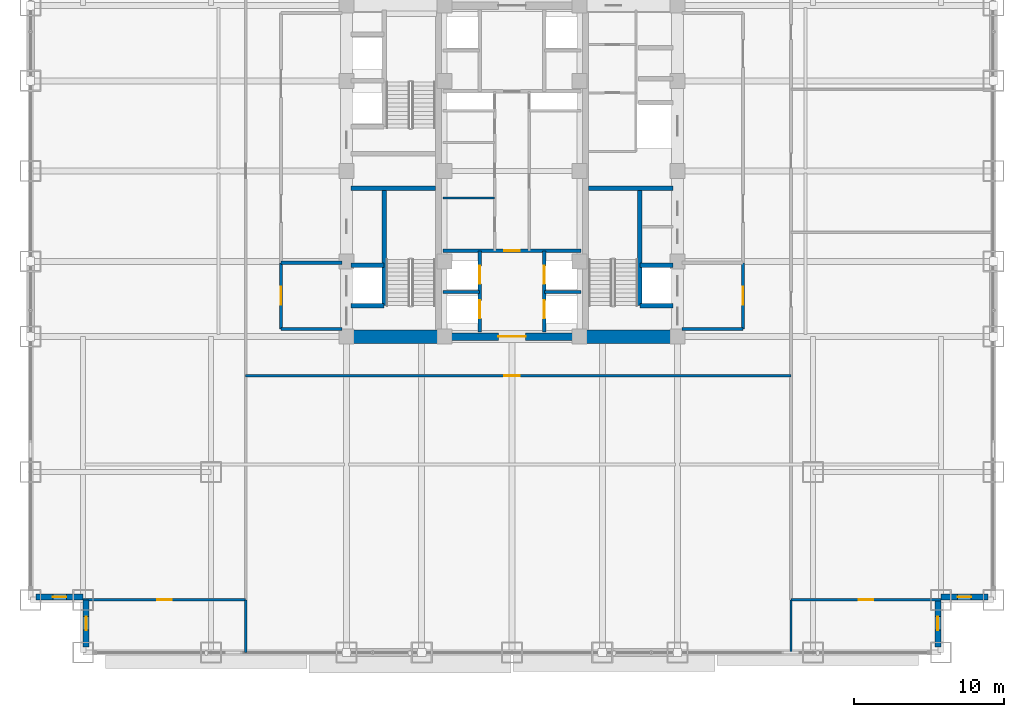
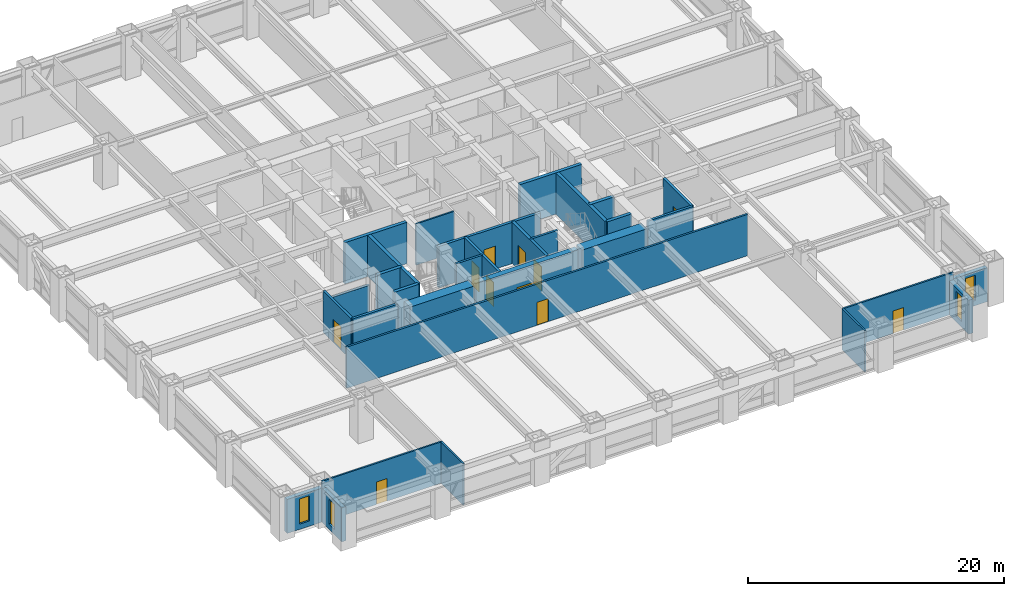
# One storey, part 23 of 31: 31 walls, 11 doors, 4 windows, 15 openings.
"""IFC4 building model written with IfcOpenShell, lengths in metres."""

from ifc_helpers import new_model, si_unit, direction, frame, frame_2d, origin, place, context, subcontext, project, spatial, rectangle, extrude, source, transform, mapped, material, layer, layer_set, type_object, element, fill, save


model = new_model("IFC4")

# Units and contexts
model_context = context("Model", 3, precision=1e-05, world=origin(), true_north=direction((0.0, 1.0)))
body_context = subcontext(model_context, "Body", "Model", "MODEL_VIEW")
ifc_project = project(units=[si_unit("LENGTHUNIT", "METRE"), si_unit("AREAUNIT", "SQUARE_METRE"), si_unit("VOLUMEUNIT", "CUBIC_METRE"), si_unit("PLANEANGLEUNIT", "RADIAN"), si_unit("MASSUNIT", "GRAM", prefix="KILO")], contexts=[model_context])

# Site, building, storey
site_placement = place(None, origin())
site = spatial("IfcSite", under=ifc_project, at=site_placement, CompositionType="ELEMENT")
building_placement = place(site_placement, origin())
building = spatial("IfcBuilding", under=site, at=building_placement, Name="Khorayat Bourse Tower", CompositionType="ELEMENT")
storey_placement = place(building_placement, frame((0.0, 0.0, 41.0)))
storey = spatial("IfcBuildingStorey", under=building, at=storey_placement, Name="L08", CompositionType="ELEMENT", Elevation=41.0)

# Walls
ifc_material_1 = material(Name="Concrete C72/90", Category="concrete")
ifc_layer_1 = layer(ifc_material_1, 0.89990234375)
ifc_layer_set_1 = layer_set([ifc_layer_1], Name="Concrete C72/90")
wall_type_1 = type_object("IfcWallType", Name="WAL-CORE-900", PredefinedType="SHEAR", material=ifc_layer_set_1)
shared_shape_1 = source(origin(), body_context, "Body", "SweptSolid", [
    extrude(rectangle(XDim=5.849853515625, YDim=0.89990234375, at=frame_2d((2.9248046875, 0.0))), origin(), (0.0, 0.0, 1.0), 3.93994140625),
])
for number, where, z_axis, x_axis, name in (
    (1, (-10.699951171875, -11.0, 0.0), (0.0, 0.0, 1.0), (1.0, 0.0, 0.0), "L08 Core Shear Wall PIER-WS"),
    (2, (4.85009765625, -11.0, 0.0), (0.0, 0.0, 1.0), (1.0, 0.0, 0.0), "L08 Core Shear Wall PIER-ES"),
):
    element("IfcWall", number, at=place(storey_placement, frame(where, z_axis=z_axis, x_axis=x_axis)), inside=storey, type_object=wall_type_1, Name=name, PredefinedType="SHEAR", context=body_context, shape_type="MappedRepresentation", body=[
        mapped(shared_shape_1, transform((0.0, 0.0, 0.0), scale=1.0)),
    ])
ifc_material_2 = material(Name="Concrete C50/60", Category="concrete")
ifc_layer_2 = layer(ifc_material_2, 0.300048828125)
ifc_layer_set_2 = layer_set([ifc_layer_2], Name="Concrete C50/60")
wall_type_2 = type_object("IfcWallType", Name="WAL-SHAFT-300", PredefinedType="SHEAR", material=ifc_layer_set_2)
shared_shape_2 = source(origin(), body_context, "Body", "SweptSolid", [
    extrude(rectangle(XDim=5.599853515625, YDim=0.300048828125, at=frame_2d((2.7998046875, 0.0))), origin(), (0.0, 0.0, 1.0), 3.93994140625),
])
for number, where, z_axis, x_axis, name in (
    (3, (-10.699951171875, -1.14990234375, 0.0), (0.0, 0.0, 1.0), (1.0, 0.0, 0.0), "L08 Core Shear Wall ST1-DIV"),
    (4, (5.10009765625, -1.14990234375, 0.0), (0.0, 0.0, 1.0), (1.0, 0.0, 0.0), "L08 Core Shear Wall ST3-DIV"),
):
    element("IfcWall", number, at=place(storey_placement, frame(where, z_axis=z_axis, x_axis=x_axis)), inside=storey, type_object=wall_type_2, Name=name, PredefinedType="SHEAR", context=body_context, shape_type="MappedRepresentation", body=[
        mapped(shared_shape_2, transform((0.0, 0.0, 0.0), scale=1.0)),
    ])

# Wall, opening, door
ifc_material_3 = material(Name="Concrete C52/65", Category="concrete")
ifc_layer_3 = layer(ifc_material_3, 0.5)
ifc_layer_set_3 = layer_set([ifc_layer_3], Name="Concrete C52/65")
wall_type_3 = type_object("IfcWallType", Name="WAL-CORE-500", PredefinedType="SHEAR", material=ifc_layer_set_3)
shared_shape_3 = source(origin(), body_context, "Body", "SweptSolid", [
    extrude(rectangle(XDim=9.2001953125, YDim=0.5, at=frame_2d((4.60009765625, 0.0))), origin(), (0.0, 0.0, 1.0), 3.93994140625),
])
wall_1_placement = place(storey_placement, frame((-4.60009765625, -11.0, 0.0), z_axis=(0.0, 0.0, 1.0), x_axis=(1.0, 0.0, 0.0)))
wall_1 = element("IfcWall", 5, at=wall_1_placement, inside=storey, type_object=wall_type_3, Name="L08 Core Shear Wall CORE-S", PredefinedType="SHEAR", context=body_context, shape_type="MappedRepresentation", body=[
    mapped(shared_shape_3, transform((0.0, 0.0, 0.0), scale=1.0)),
])
shared_shape_4 = source(origin(), body_context, "Body", "SweptSolid", [
    extrude(rectangle(XDim=1.800048828125, YDim=2.25, at=frame_2d((0.89990234375, 1.125))), frame((0.0, 0.260009765625, 0.0), z_axis=(0.0, -1.0, 0.0), x_axis=(1.0, 0.0, 0.0)), (0.0, 0.0, 1.0), 0.52001953125),
])
opening_1_placement = place(wall_1_placement, frame((3.699951171875, 0.0, 0.0)))
opening_1 = element("IfcOpeningElement", 6, at=opening_1_placement, cuts=wall_1, Name="Opening DI-03", PredefinedType="OPENING", context=body_context, shape_type="MappedRepresentation", body=[
    mapped(shared_shape_4, transform((0.0, 0.0, 0.0), scale=1.0)),
])
ifc_material_4 = material(Name="Fire-rated hardwood vision-panel double leaf", Category="wood")
door_type_1 = type_object("IfcDoorType", Name="DR-INT-CORR-1800", OperationType="NOTDEFINED", PredefinedType="DOOR", material=ifc_material_4)
shared_shape_5 = source(origin(), body_context, "Body", "SweptSolid", [
    extrude(rectangle(XDim=1.800048828125, YDim=2.25, at=frame_2d((0.89990234375, 1.125))), frame((0.0, 0.02490234375, 0.0), z_axis=(0.0, -1.0, 0.0), x_axis=(1.0, 0.0, 0.0)), (0.0, 0.0, 1.0), 0.050048828125),
])
door_1_placement = place(opening_1_placement, origin())
door_1 = element("IfcDoor", 7, at=door_1_placement, inside=storey, type_object=door_type_1, Name="L08 Low-Rise Lift Lobby Door", OperationType="SINGLE_SWING_LEFT", OverallHeight=2.25, OverallWidth=1.800048828125, PredefinedType="DOOR", context=body_context, shape_type="MappedRepresentation", body=[
    mapped(shared_shape_5, transform((0.0, 0.0, 0.0), scale=1.0)),
])
fill(opening_1, door_1)

# Wall, opening, window
ifc_material_5 = material(Name="Precast concrete C45/55", Category="concrete")
ifc_layer_4 = layer(ifc_material_5, 0.3798828125)
ifc_layer_set_4 = layer_set([ifc_layer_4], Name="Precast concrete C45/55")
wall_type_4 = type_object("IfcWallType", Name="WAL-EXT-STONE-380", PredefinedType="STANDARD", material=ifc_layer_set_4)
shared_shape_6 = source(origin(), body_context, "Body", "SweptSolid", [
    extrude(rectangle(XDim=3.1201171875, YDim=0.3798828125, at=frame_2d((1.56005859375, 0.0))), origin(), (0.0, 0.0, 1.0), 3.2451171875),
])
wall_2_placement = place(storey_placement, frame((-28.5, -28.31005859375, 0.0), z_axis=(0.0, 0.0, 1.0), x_axis=(-1.0, 0.0, 0.0)))
wall_2 = element("IfcWall", 8, at=wall_2_placement, inside=storey, type_object=wall_type_4, Name="L08 Re-Entrant Notch Limestone Wall SW-H", PredefinedType="STANDARD", context=body_context, shape_type="MappedRepresentation", body=[
    mapped(shared_shape_6, transform((0.0, 0.0, 0.0), scale=1.0)),
])
shared_shape_7 = source(origin(), body_context, "Body", "SweptSolid", [
    extrude(rectangle(XDim=0.89990234375, YDim=2.39990234375, at=frame_2d((0.449951171875, 1.199951171875))), frame((0.0, 0.199951171875, 0.0), z_axis=(0.0, -1.0, 0.0), x_axis=(1.0, 0.0, 0.0)), (0.0, 0.0, 1.0), 0.39990234375),
])
opening_2_placement = place(wall_2_placement, frame((1.110107421875, 0.0, 0.5)))
opening_2 = element("IfcOpeningElement", 9, at=opening_2_placement, cuts=wall_2, Name="Opening WN-03", PredefinedType="OPENING", context=body_context, shape_type="MappedRepresentation", body=[
    mapped(shared_shape_7, transform((0.0, 0.0, 0.0), scale=1.0)),
])
ifc_material_6 = material(Name="Deep-reveal solar-control double glazing", Category="glass")
window_type = type_object("IfcWindowType", Name="WIN-SLOT-900x2400", PartitioningType="SINGLE_PANEL", PredefinedType="WINDOW", material=ifc_material_6)
shared_shape_8 = source(origin(), body_context, "Body", "SweptSolid", [
    extrude(rectangle(XDim=0.89990234375, YDim=2.39990234375, at=frame_2d((0.449951171875, 1.199951171875))), frame((0.0, 0.030029296875, 0.0), z_axis=(0.0, -1.0, 0.0), x_axis=(1.0, 0.0, 0.0)), (0.0, 0.0, 1.0), 0.06005859375),
])
window_1_placement = place(opening_2_placement, origin())
window_1 = element("IfcWindow", 10, at=window_1_placement, inside=storey, type_object=window_type, Name="L08 Facade Window 1", OverallHeight=2.39990234375, OverallWidth=0.89990234375, PartitioningType="SINGLE_PANEL", PredefinedType="WINDOW", context=body_context, shape_type="MappedRepresentation", body=[
    mapped(shared_shape_8, transform((0.0, 0.0, 0.0), scale=1.0)),
])
fill(opening_2, window_1)

wall_3_placement = place(storey_placement, frame((-28.31005859375, -31.6201171875, 0.0), z_axis=(0.0, 0.0, 1.0), x_axis=(0.0, 1.0, 0.0)))
wall_3 = element("IfcWall", 11, at=wall_3_placement, inside=storey, type_object=wall_type_4, Name="L08 Re-Entrant Notch Limestone Wall SW-V", PredefinedType="STANDARD", context=body_context, shape_type="MappedRepresentation", body=[
    mapped(shared_shape_6, transform((0.0, 0.0, 0.0), scale=1.0)),
])
opening_3_placement = place(wall_3_placement, frame((1.110107421875, 0.0, 0.5)))
opening_3 = element("IfcOpeningElement", 12, at=opening_3_placement, cuts=wall_3, Name="Opening WN-03", PredefinedType="OPENING", context=body_context, shape_type="MappedRepresentation", body=[
    mapped(shared_shape_7, transform((0.0, 0.0, 0.0), scale=1.0)),
])
window_2_placement = place(opening_3_placement, origin())
window_2 = element("IfcWindow", 13, at=window_2_placement, inside=storey, type_object=window_type, Name="L08 Facade Window 1", OverallHeight=2.39990234375, OverallWidth=0.89990234375, PartitioningType="SINGLE_PANEL", PredefinedType="WINDOW", context=body_context, shape_type="MappedRepresentation", body=[
    mapped(shared_shape_8, transform((0.0, 0.0, 0.0), scale=1.0)),
])
fill(opening_3, window_2)

wall_4_placement = place(storey_placement, frame((28.31005859375, -31.6201171875, 0.0), z_axis=(0.0, 0.0, 1.0), x_axis=(0.0, 1.0, 0.0)))
wall_4 = element("IfcWall", 14, at=wall_4_placement, inside=storey, type_object=wall_type_4, Name="L08 Re-Entrant Notch Limestone Wall SE-V", PredefinedType="STANDARD", context=body_context, shape_type="MappedRepresentation", body=[
    mapped(shared_shape_6, transform((0.0, 0.0, 0.0), scale=1.0)),
])
opening_4_placement = place(wall_4_placement, frame((1.110107421875, 0.0, 0.5)))
opening_4 = element("IfcOpeningElement", 15, at=opening_4_placement, cuts=wall_4, Name="Opening WN-03", PredefinedType="OPENING", context=body_context, shape_type="MappedRepresentation", body=[
    mapped(shared_shape_7, transform((0.0, 0.0, 0.0), scale=1.0)),
])
window_3_placement = place(opening_4_placement, origin())
window_3 = element("IfcWindow", 16, at=window_3_placement, inside=storey, type_object=window_type, Name="L08 Facade Window 1", OverallHeight=2.39990234375, OverallWidth=0.89990234375, PartitioningType="SINGLE_PANEL", PredefinedType="WINDOW", context=body_context, shape_type="MappedRepresentation", body=[
    mapped(shared_shape_8, transform((0.0, 0.0, 0.0), scale=1.0)),
])
fill(opening_4, window_3)

wall_5_placement = place(storey_placement, frame((28.5, -28.31005859375, 0.0), z_axis=(0.0, 0.0, 1.0), x_axis=(1.0, 0.0, 0.0)))
wall_5 = element("IfcWall", 17, at=wall_5_placement, inside=storey, type_object=wall_type_4, Name="L08 Re-Entrant Notch Limestone Wall SE-H", PredefinedType="STANDARD", context=body_context, shape_type="MappedRepresentation", body=[
    mapped(shared_shape_6, transform((0.0, 0.0, 0.0), scale=1.0)),
])
opening_5_placement = place(wall_5_placement, frame((1.110107421875, 0.0, 0.5)))
opening_5 = element("IfcOpeningElement", 18, at=opening_5_placement, cuts=wall_5, Name="Opening WN-03", PredefinedType="OPENING", context=body_context, shape_type="MappedRepresentation", body=[
    mapped(shared_shape_7, transform((0.0, 0.0, 0.0), scale=1.0)),
])
window_4_placement = place(opening_5_placement, origin())
window_4 = element("IfcWindow", 19, at=window_4_placement, inside=storey, type_object=window_type, Name="L08 Facade Window 1", OverallHeight=2.39990234375, OverallWidth=0.89990234375, PartitioningType="SINGLE_PANEL", PredefinedType="WINDOW", context=body_context, shape_type="MappedRepresentation", body=[
    mapped(shared_shape_8, transform((0.0, 0.0, 0.0), scale=1.0)),
])
fill(opening_5, window_4)

# Walls
shared_shape_9 = source(origin(), body_context, "Body", "SweptSolid", [
    extrude(rectangle(XDim=7.800048828125, YDim=0.300048828125, at=frame_2d((3.89990234375, 0.0))), origin(), (0.0, 0.0, 1.0), 3.93994140625),
])
for number, where, z_axis, x_axis, name in (
    (20, (-8.5, -8.949951171875, 0.0), (0.0, 0.0, 1.0), (0.0, 1.0, 0.0), "L08 Partition WAL-L08-WPIER-SP"),
    (21, (8.5, -8.949951171875, 0.0), (0.0, 0.0, 1.0), (0.0, 1.0, 0.0), "L08 Partition WAL-L08-EPIER-SP"),
):
    element("IfcWall", number, at=place(storey_placement, frame(where, z_axis=z_axis, x_axis=x_axis)), inside=storey, type_object=wall_type_2, Name=name, PredefinedType="SHEAR", context=body_context, shape_type="MappedRepresentation", body=[
        mapped(shared_shape_9, transform((0.0, 0.0, 0.0), scale=1.0)),
    ])
shared_shape_10 = source(origin(), body_context, "Body", "SweptSolid", [
    extrude(rectangle(XDim=2.199951171875, YDim=0.300048828125, at=frame_2d((1.10009765625, 0.0))), origin(), (0.0, 0.0, 1.0), 3.93994140625),
])
for number, where, z_axis, x_axis, name in (
    (22, (-10.699951171875, -8.949951171875, 0.0), (0.0, 0.0, 1.0), (1.0, 0.0, 0.0), "L08 Partition WAL-L08-WPIER-FF1S"),
    (23, (-10.699951171875, -6.25, 0.0), (0.0, 0.0, 1.0), (1.0, 0.0, 0.0), "L08 Partition WAL-L08-WPIER-FF1N"),
    (24, (8.5, -8.949951171875, 0.0), (0.0, 0.0, 1.0), (1.0, 0.0, 0.0), "L08 Partition WAL-L08-EPIER-FF2S"),
    (25, (8.5, -6.25, 0.0), (0.0, 0.0, 1.0), (1.0, 0.0, 0.0), "L08 Partition WAL-L08-EPIER-FF2N"),
):
    element("IfcWall", number, at=place(storey_placement, frame(where, z_axis=z_axis, x_axis=x_axis)), inside=storey, type_object=wall_type_2, Name=name, PredefinedType="SHEAR", context=body_context, shape_type="MappedRepresentation", body=[
        mapped(shared_shape_10, transform((0.0, 0.0, 0.0), scale=1.0)),
    ])
ifc_material_7 = material(Name="Aerated concrete blockwork", Category="masonry")
ifc_layer_5 = layer(ifc_material_7, 0.219970703125)
ifc_layer_set_5 = layer_set([ifc_layer_5], Name="Aerated concrete blockwork")
wall_type_5 = type_object("IfcWallType", Name="WAL-PART-FF-220", PredefinedType="PARTITIONING", material=ifc_layer_set_5)
shared_shape_11 = source(origin(), body_context, "Body", "SweptSolid", [
    extrude(rectangle(XDim=4.050048828125, YDim=0.219970703125, at=frame_2d((2.02490234375, 0.0))), origin(), (0.0, 0.0, 1.0), 3.93994140625),
])
for number, where, z_axis, x_axis, name in (
    (26, (-15.35009765625, -10.5, 0.0), (0.0, 0.0, 1.0), (1.0, 0.0, 0.0), "L08 Partition WAL-L08-FFLW-S"),
    (27, (11.300048828125, -10.5, 0.0), (0.0, 0.0, 1.0), (1.0, 0.0, 0.0), "L08 Partition WAL-L08-FFLE-S"),
):
    element("IfcWall", number, at=place(storey_placement, frame(where, z_axis=z_axis, x_axis=x_axis)), inside=storey, type_object=wall_type_5, Name=name, PredefinedType="PARTITIONING", context=body_context, shape_type="MappedRepresentation", body=[
        mapped(shared_shape_11, transform((0.0, 0.0, 0.0), scale=1.0)),
    ])
shared_shape_12 = source(origin(), body_context, "Body", "SweptSolid", [
    extrude(rectangle(XDim=4.050048828125, YDim=0.219970703125, at=frame_2d((2.02490234375, 0.0))), origin(), (0.0, 0.0, 1.0), 3.0849609375),
])
wall_6_placement = place(storey_placement, frame((-15.35009765625, -6.10009765625, 0.0), z_axis=(0.0, 0.0, 1.0), x_axis=(1.0, 0.0, 0.0)))
element("IfcWall", 28, at=wall_6_placement, inside=storey, type_object=wall_type_5, Name="L08 Partition WAL-L08-FFLW-N", PredefinedType="PARTITIONING", context=body_context, shape_type="MappedRepresentation", body=[
    mapped(shared_shape_12, transform((0.0, 0.0, 0.0), scale=1.0)),
])

# Wall, opening, door
shared_shape_13 = source(origin(), body_context, "Body", "SweptSolid", [
    extrude(rectangle(XDim=4.39990234375, YDim=0.219970703125, at=frame_2d((2.199951171875, 0.0))), origin(), (0.0, 0.0, 1.0), 3.93994140625),
])
wall_7_placement = place(storey_placement, frame((-15.35009765625, -10.5, 0.0), z_axis=(0.0, 0.0, 1.0), x_axis=(0.0, 1.0, 0.0)))
wall_7 = element("IfcWall", 29, at=wall_7_placement, inside=storey, type_object=wall_type_5, Name="L08 Partition WAL-L08-FFLW-W", PredefinedType="PARTITIONING", context=body_context, shape_type="MappedRepresentation", body=[
    mapped(shared_shape_13, transform((0.0, 0.0, 0.0), scale=1.0)),
])
shared_shape_14 = source(origin(), body_context, "Body", "SweptSolid", [
    extrude(rectangle(XDim=1.199951171875, YDim=2.199951171875, at=frame_2d((0.60009765625, 1.10009765625))), frame((0.0, 0.119873046875, 0.0), z_axis=(0.0, -1.0, 0.0), x_axis=(1.0, 0.0, 0.0)), (0.0, 0.0, 1.0), 0.239990234375),
])
opening_6_placement = place(wall_7_placement, frame((1.60009765625, 0.0, 0.0)))
opening_6 = element("IfcOpeningElement", 30, at=opening_6_placement, cuts=wall_7, Name="Opening DI-02", PredefinedType="OPENING", context=body_context, shape_type="MappedRepresentation", body=[
    mapped(shared_shape_14, transform((0.0, 0.0, 0.0), scale=1.0)),
])
ifc_material_8 = material(Name="Fire-rated steel double-seal leaf", Category="steel")
door_type_2 = type_object("IfcDoorType", Name="DR-INT-FFLOBBY-1200", OperationType="NOTDEFINED", PredefinedType="DOOR", material=ifc_material_8)
shared_shape_15 = source(origin(), body_context, "Body", "SweptSolid", [
    extrude(rectangle(XDim=1.199951171875, YDim=2.199951171875, at=frame_2d((0.60009765625, 1.10009765625))), frame((0.0, 0.02490234375, 0.0), z_axis=(0.0, -1.0, 0.0), x_axis=(1.0, 0.0, 0.0)), (0.0, 0.0, 1.0), 0.050048828125),
])
door_2_placement = place(opening_6_placement, origin())
door_2 = element("IfcDoor", 31, at=door_2_placement, inside=storey, type_object=door_type_2, Name="L08 West Firefighting Lobby Door", OperationType="SINGLE_SWING_LEFT", OverallHeight=2.199951171875, OverallWidth=1.199951171875, PredefinedType="DOOR", context=body_context, shape_type="MappedRepresentation", body=[
    mapped(shared_shape_15, transform((0.0, 0.0, 0.0), scale=1.0)),
])
fill(opening_6, door_2)

wall_8_placement = place(storey_placement, frame((15.35009765625, -10.5, 0.0), z_axis=(0.0, 0.0, 1.0), x_axis=(0.0, 1.0, 0.0)))
wall_8 = element("IfcWall", 32, at=wall_8_placement, inside=storey, type_object=wall_type_5, Name="L08 Partition WAL-L08-FFLE-E", PredefinedType="PARTITIONING", context=body_context, shape_type="MappedRepresentation", body=[
    mapped(shared_shape_13, transform((0.0, 0.0, 0.0), scale=1.0)),
])
opening_7_placement = place(wall_8_placement, frame((1.60009765625, 0.0, 0.0)))
opening_7 = element("IfcOpeningElement", 33, at=opening_7_placement, cuts=wall_8, Name="Opening DI-02", PredefinedType="OPENING", context=body_context, shape_type="MappedRepresentation", body=[
    mapped(shared_shape_14, transform((0.0, 0.0, 0.0), scale=1.0)),
])
door_3_placement = place(opening_7_placement, origin())
door_3 = element("IfcDoor", 34, at=door_3_placement, inside=storey, type_object=door_type_2, Name="L08 East Firefighting Lobby Door", OperationType="SINGLE_SWING_RIGHT", OverallHeight=2.199951171875, OverallWidth=1.199951171875, PredefinedType="DOOR", context=body_context, shape_type="MappedRepresentation", body=[
    mapped(shared_shape_15, transform((0.0, 0.0, 0.0), scale=1.0)),
])
fill(opening_7, door_3)

# Wall, openings, doors
shared_shape_16 = source(origin(), body_context, "Body", "SweptSolid", [
    extrude(rectangle(XDim=5.39990234375, YDim=0.25, at=frame_2d((2.699951171875, 0.0))), origin(), (0.0, 0.0, 1.0), 3.93994140625),
])
wall_9_placement = place(storey_placement, frame((-2.14990234375, -10.699951171875, 0.0), z_axis=(0.0, 0.0, 1.0), x_axis=(0.0, 1.0, 0.0)))
wall_9 = element("IfcWall", 35, at=wall_9_placement, inside=storey, type_object=wall_type_2, Name="L08 Partition WAL-L08-B1-W", PredefinedType="SHEAR", context=body_context, shape_type="MappedRepresentation", body=[
    mapped(shared_shape_16, transform((0.0, 0.0, 0.0), scale=1.0)),
])
shared_shape_17 = source(origin(), body_context, "Body", "SweptSolid", [
    extrude(rectangle(XDim=1.199951171875, YDim=2.300048828125, at=frame_2d((0.60009765625, 1.14990234375))), frame((0.0, 0.135009765625, 0.0), z_axis=(0.0, -1.0, 0.0), x_axis=(1.0, 0.0, 0.0)), (0.0, 0.0, 1.0), 0.27001953125),
])
opening_8_placement = place(wall_9_placement, frame((0.89990234375, 0.0, 0.0)))
opening_8 = element("IfcOpeningElement", 36, at=opening_8_placement, cuts=wall_9, Name="Opening LD-01", PredefinedType="OPENING", context=body_context, shape_type="MappedRepresentation", body=[
    mapped(shared_shape_17, transform((0.0, 0.0, 0.0), scale=1.0)),
])
opening_9_placement = place(wall_9_placement, frame((3.199951171875, 0.0, 0.0)))
opening_9 = element("IfcOpeningElement", 37, at=opening_9_placement, cuts=wall_9, Name="Opening LD-01", PredefinedType="OPENING", context=body_context, shape_type="MappedRepresentation", body=[
    mapped(shared_shape_17, transform((0.0, 0.0, 0.0), scale=1.0)),
])
ifc_material_9 = material(Name="Brushed bronze stainless-steel sliding door", Category="steel")
door_type_3 = type_object("IfcDoorType", Name="DR-LIFT-PASS-1200", OperationType="NOTDEFINED", PredefinedType="DOOR", material=ifc_material_9)
shared_shape_18 = source(origin(), body_context, "Body", "SweptSolid", [
    extrude(rectangle(XDim=1.199951171875, YDim=2.300048828125, at=frame_2d((0.60009765625, 1.14990234375))), frame((0.0, 0.02490234375, 0.0), z_axis=(0.0, -1.0, 0.0), x_axis=(1.0, 0.0, 0.0)), (0.0, 0.0, 1.0), 0.050048828125),
])
door_4_placement = place(opening_8_placement, origin())
door_4 = element("IfcDoor", 38, at=door_4_placement, inside=storey, type_object=door_type_3, Name="L08 Lift PL-L1 Sliding Landing Door", OperationType="SLIDING_TO_LEFT", OverallHeight=2.300048828125, OverallWidth=1.199951171875, PredefinedType="DOOR", context=body_context, shape_type="MappedRepresentation", body=[
    mapped(shared_shape_18, transform((0.0, 0.0, 0.0), scale=1.0)),
])
fill(opening_8, door_4)
door_5_placement = place(opening_9_placement, origin())
door_5 = element("IfcDoor", 39, at=door_5_placement, inside=storey, type_object=door_type_3, Name="L08 Lift PL-L3 Sliding Landing Door", OperationType="SLIDING_TO_LEFT", OverallHeight=2.300048828125, OverallWidth=1.199951171875, PredefinedType="DOOR", context=body_context, shape_type="MappedRepresentation", body=[
    mapped(shared_shape_18, transform((0.0, 0.0, 0.0), scale=1.0)),
])
fill(opening_9, door_5)

wall_10_placement = place(storey_placement, frame((2.14990234375, -10.699951171875, 0.0), z_axis=(0.0, 0.0, 1.0), x_axis=(0.0, 1.0, 0.0)))
wall_10 = element("IfcWall", 40, at=wall_10_placement, inside=storey, type_object=wall_type_2, Name="L08 Partition WAL-L08-B1-E", PredefinedType="SHEAR", context=body_context, shape_type="MappedRepresentation", body=[
    mapped(shared_shape_16, transform((0.0, 0.0, 0.0), scale=1.0)),
])
opening_10_placement = place(wall_10_placement, frame((0.89990234375, 0.0, 0.0)))
opening_10 = element("IfcOpeningElement", 41, at=opening_10_placement, cuts=wall_10, Name="Opening LD-01", PredefinedType="OPENING", context=body_context, shape_type="MappedRepresentation", body=[
    mapped(shared_shape_17, transform((0.0, 0.0, 0.0), scale=1.0)),
])
opening_11_placement = place(wall_10_placement, frame((3.199951171875, 0.0, 0.0)))
opening_11 = element("IfcOpeningElement", 42, at=opening_11_placement, cuts=wall_10, Name="Opening LD-01", PredefinedType="OPENING", context=body_context, shape_type="MappedRepresentation", body=[
    mapped(shared_shape_17, transform((0.0, 0.0, 0.0), scale=1.0)),
])
door_6_placement = place(opening_10_placement, origin())
door_6 = element("IfcDoor", 43, at=door_6_placement, inside=storey, type_object=door_type_3, Name="L08 Lift PL-L2 Sliding Landing Door", OperationType="SLIDING_TO_LEFT", OverallHeight=2.300048828125, OverallWidth=1.199951171875, PredefinedType="DOOR", context=body_context, shape_type="MappedRepresentation", body=[
    mapped(shared_shape_18, transform((0.0, 0.0, 0.0), scale=1.0)),
])
fill(opening_10, door_6)
door_7_placement = place(opening_11_placement, origin())
door_7 = element("IfcDoor", 44, at=door_7_placement, inside=storey, type_object=door_type_3, Name="L08 Lift PL-L4 Sliding Landing Door", OperationType="SLIDING_TO_LEFT", OverallHeight=2.300048828125, OverallWidth=1.199951171875, PredefinedType="DOOR", context=body_context, shape_type="MappedRepresentation", body=[
    mapped(shared_shape_18, transform((0.0, 0.0, 0.0), scale=1.0)),
])
fill(opening_11, door_7)

# Walls
shared_shape_19 = source(origin(), body_context, "Body", "SweptSolid", [
    extrude(rectangle(XDim=2.4501953125, YDim=0.199951171875, at=frame_2d((1.22509765625, 0.0))), origin(), (0.0, 0.0, 1.0), 3.93994140625),
])
for number, where, z_axis, x_axis, name in (
    (45, (-4.60009765625, -8.050048828125, 0.0), (0.0, 0.0, 1.0), (1.0, 0.0, 0.0), "L08 Partition WAL-L08-B1-MW"),
    (46, (2.14990234375, -8.050048828125, 0.0), (0.0, 0.0, 1.0), (1.0, 0.0, 0.0), "L08 Partition WAL-L08-B1-ME"),
):
    element("IfcWall", number, at=place(storey_placement, frame(where, z_axis=z_axis, x_axis=x_axis)), inside=storey, type_object=wall_type_2, Name=name, PredefinedType="SHEAR", context=body_context, shape_type="MappedRepresentation", body=[
        mapped(shared_shape_19, transform((0.0, 0.0, 0.0), scale=1.0)),
    ])

# Wall, opening, door
shared_shape_20 = source(origin(), body_context, "Body", "SweptSolid", [
    extrude(rectangle(XDim=9.2001953125, YDim=0.25, at=frame_2d((4.60009765625, 0.0))), origin(), (0.0, 0.0, 1.0), 3.93994140625),
])
wall_11_placement = place(storey_placement, frame((-4.60009765625, -5.300048828125, 0.0), z_axis=(0.0, 0.0, 1.0), x_axis=(1.0, 0.0, 0.0)))
wall_11 = element("IfcWall", 47, at=wall_11_placement, inside=storey, type_object=wall_type_2, Name="L08 Partition WAL-L08-B1-N", PredefinedType="SHEAR", context=body_context, shape_type="MappedRepresentation", body=[
    mapped(shared_shape_20, transform((0.0, 0.0, 0.0), scale=1.0)),
])
shared_shape_21 = source(origin(), body_context, "Body", "SweptSolid", [
    extrude(rectangle(XDim=1.050048828125, YDim=2.199951171875, at=frame_2d((0.52490234375, 1.10009765625))), frame((0.0, 0.135009765625, 0.0), z_axis=(0.0, -1.0, 0.0), x_axis=(1.0, 0.0, 0.0)), (0.0, 0.0, 1.0), 0.27001953125),
])
opening_12_placement = place(wall_11_placement, frame((4.074951171875, 0.0, 0.0)))
opening_12 = element("IfcOpeningElement", 48, at=opening_12_placement, cuts=wall_11, Name="Opening DI-04", PredefinedType="OPENING", context=body_context, shape_type="MappedRepresentation", body=[
    mapped(shared_shape_21, transform((0.0, 0.0, 0.0), scale=1.0)),
])
ifc_material_10 = material(Name="Fire-rated oak veneer suite entrance door")
door_type_4 = type_object("IfcDoorType", Name="DR-INT-SUITE-1050", OperationType="NOTDEFINED", PredefinedType="DOOR", material=ifc_material_10)
shared_shape_22 = source(origin(), body_context, "Body", "SweptSolid", [
    extrude(rectangle(XDim=1.050048828125, YDim=2.199951171875, at=frame_2d((0.52490234375, 1.10009765625))), frame((0.0, 0.02490234375, 0.0), z_axis=(0.0, -1.0, 0.0), x_axis=(1.0, 0.0, 0.0)), (0.0, 0.0, 1.0), 0.050048828125),
])
door_8_placement = place(opening_12_placement, origin())
door_8 = element("IfcDoor", 49, at=door_8_placement, inside=storey, type_object=door_type_4, Name="L08 Core Spine South Door", OperationType="SINGLE_SWING_LEFT", OverallHeight=2.199951171875, OverallWidth=1.050048828125, PredefinedType="DOOR", context=body_context, shape_type="MappedRepresentation", body=[
    mapped(shared_shape_22, transform((0.0, 0.0, 0.0), scale=1.0)),
])
fill(opening_12, door_8)

# Wall
ifc_material_11 = material(Name="Moisture-resistant masonry partition", Category="masonry")
ifc_layer_6 = layer(ifc_material_11, 0.139892578125)
ifc_layer_set_6 = layer_set([ifc_layer_6], Name="Moisture-resistant masonry partition")
wall_type_6 = type_object("IfcWallType", Name="WAL-PART-WET-140", PredefinedType="PARTITIONING", material=ifc_layer_set_6)
shared_shape_23 = source(origin(), body_context, "Body", "SweptSolid", [
    extrude(rectangle(XDim=3.4501953125, YDim=0.139892578125, at=frame_2d((1.72509765625, 0.0))), origin(), (0.0, 0.0, 1.0), 3.93994140625),
])
wall_12_placement = place(storey_placement, frame((-4.60009765625, -1.800048828125, 0.0), z_axis=(0.0, 0.0, 1.0), x_axis=(1.0, 0.0, 0.0)))
element("IfcWall", 50, at=wall_12_placement, inside=storey, type_object=wall_type_6, Name="L08 Partition WAL-L08-CMW-D1", PredefinedType="PARTITIONING", context=body_context, shape_type="MappedRepresentation", body=[
    mapped(shared_shape_23, transform((0.0, 0.0, 0.0), scale=1.0)),
])

# Wall, opening, door
ifc_material_12 = material(Name="Gypsum plasterboard acoustic stud wall")
ifc_layer_7 = layer(ifc_material_12, 0.179931640625)
ifc_layer_set_7 = layer_set([ifc_layer_7], Name="Gypsum plasterboard acoustic stud wall")
wall_type_7 = type_object("IfcWallType", Name="WAL-PART-CORR-180", PredefinedType="PARTITIONING", material=ifc_layer_set_7)
shared_shape_24 = source(origin(), body_context, "Body", "SweptSolid", [
    extrude(rectangle(XDim=36.25, YDim=0.179931640625, at=frame_2d((18.125, 0.0))), origin(), (0.0, 0.0, 1.0), 3.93994140625),
])
wall_13_placement = place(storey_placement, frame((-17.699951171875, -13.60009765625, 0.0), z_axis=(0.0, 0.0, 1.0), x_axis=(1.0, 0.0, 0.0)))
wall_13 = element("IfcWall", 51, at=wall_13_placement, inside=storey, type_object=wall_type_7, Name="L08 Partition WAL-L08-SCORR", PredefinedType="PARTITIONING", context=body_context, shape_type="MappedRepresentation", body=[
    mapped(shared_shape_24, transform((0.0, 0.0, 0.0), scale=1.0)),
])
shared_shape_25 = source(origin(), body_context, "Body", "SweptSolid", [
    extrude(rectangle(XDim=1.050048828125, YDim=2.199951171875, at=frame_2d((0.52490234375, 1.10009765625))), frame((0.0, 0.099853515625, 0.0), z_axis=(0.0, -1.0, 0.0), x_axis=(1.0, 0.0, 0.0)), (0.0, 0.0, 1.0), 0.199951171875),
])
opening_13_placement = place(wall_13_placement, frame((17.175048828125, 0.0, 0.0)))
opening_13 = element("IfcOpeningElement", 52, at=opening_13_placement, cuts=wall_13, Name="Opening DI-04", PredefinedType="OPENING", context=body_context, shape_type="MappedRepresentation", body=[
    mapped(shared_shape_25, transform((0.0, 0.0, 0.0), scale=1.0)),
])
door_9_placement = place(opening_13_placement, origin())
door_9 = element("IfcDoor", 53, at=door_9_placement, inside=storey, type_object=door_type_4, Name="L08 Equities Trading Desk S1 Door", OperationType="SINGLE_SWING_RIGHT", OverallHeight=2.199951171875, OverallWidth=1.050048828125, PredefinedType="DOOR", context=body_context, shape_type="MappedRepresentation", body=[
    mapped(shared_shape_22, transform((0.0, 0.0, 0.0), scale=1.0)),
])
fill(opening_13, door_9)

# Walls
ifc_material_13 = material(Name="Gypsum plasterboard twin-frame partition")
ifc_layer_8 = layer(ifc_material_13, 0.14990234375)
ifc_layer_set_8 = layer_set([ifc_layer_8], Name="Gypsum plasterboard twin-frame partition")
wall_type_8 = type_object("IfcWallType", Name="WAL-PART-SUITE-150", PredefinedType="PARTITIONING", material=ifc_layer_set_8)
shared_shape_26 = source(origin(), body_context, "Body", "SweptSolid", [
    extrude(rectangle(XDim=3.5, YDim=0.14990234375, at=frame_2d((1.75, 0.0))), origin(), (0.0, 0.0, 1.0), 3.93994140625),
])
for number, where, z_axis, x_axis, name in (
    (54, (-17.699951171875, -32.0, 0.0), (0.0, 0.0, 1.0), (0.0, 1.0, 0.0), "L08 Partition WAL-L08-SCW-END"),
    (55, (18.550048828125, -32.0, 0.0), (0.0, 0.0, 1.0), (0.0, 1.0, 0.0), "L08 Partition WAL-L08-SCE-END"),
):
    element("IfcWall", number, at=place(storey_placement, frame(where, z_axis=z_axis, x_axis=x_axis)), inside=storey, type_object=wall_type_8, Name=name, PredefinedType="PARTITIONING", context=body_context, shape_type="MappedRepresentation", body=[
        mapped(shared_shape_26, transform((0.0, 0.0, 0.0), scale=1.0)),
    ])

# Wall, opening, door
shared_shape_27 = source(origin(), body_context, "Body", "SweptSolid", [
    extrude(rectangle(XDim=10.800048828125, YDim=0.14990234375, at=frame_2d((5.39990234375, 0.0))), origin(), (0.0, 0.0, 1.0), 3.93994140625),
])
wall_14_placement = place(storey_placement, frame((-28.5, -28.5, 0.0), z_axis=(0.0, 0.0, 1.0), x_axis=(1.0, 0.0, 0.0)))
wall_14 = element("IfcWall", 56, at=wall_14_placement, inside=storey, type_object=wall_type_8, Name="L08 Partition WAL-L08-CSW", PredefinedType="PARTITIONING", context=body_context, shape_type="MappedRepresentation", body=[
    mapped(shared_shape_27, transform((0.0, 0.0, 0.0), scale=1.0)),
])
shared_shape_28 = source(origin(), body_context, "Body", "SweptSolid", [
    extrude(rectangle(XDim=0.949951171875, YDim=2.14990234375, at=frame_2d((0.47509765625, 1.074951171875))), frame((0.0, 0.0849609375, 0.0), z_axis=(0.0, -1.0, 0.0), x_axis=(1.0, 0.0, 0.0)), (0.0, 0.0, 1.0), 0.169921875),
])
opening_14_placement = place(wall_14_placement, frame((4.925048828125, 0.0, 0.0)))
opening_14 = element("IfcOpeningElement", 57, at=opening_14_placement, cuts=wall_14, Name="Opening DI-05", PredefinedType="OPENING", context=body_context, shape_type="MappedRepresentation", body=[
    mapped(shared_shape_28, transform((0.0, 0.0, 0.0), scale=1.0)),
])
ifc_material_14 = material(Name="Acoustic oak veneer office door")
door_type_5 = type_object("IfcDoorType", Name="DR-INT-OFFICE-950", OperationType="NOTDEFINED", PredefinedType="DOOR", material=ifc_material_14)
shared_shape_29 = source(origin(), body_context, "Body", "SweptSolid", [
    extrude(rectangle(XDim=0.949951171875, YDim=2.14990234375, at=frame_2d((0.47509765625, 1.074951171875))), frame((0.0, 0.02490234375, 0.0), z_axis=(0.0, -1.0, 0.0), x_axis=(1.0, 0.0, 0.0)), (0.0, 0.0, 1.0), 0.050048828125),
])
door_10_placement = place(opening_14_placement, origin())
door_10 = element("IfcDoor", 58, at=door_10_placement, inside=storey, type_object=door_type_5, Name="L08 South-West Corner Office Door", OperationType="SINGLE_SWING_LEFT", OverallHeight=2.14990234375, OverallWidth=0.949951171875, PredefinedType="DOOR", context=body_context, shape_type="MappedRepresentation", body=[
    mapped(shared_shape_29, transform((0.0, 0.0, 0.0), scale=1.0)),
])
fill(opening_14, door_10)

shared_shape_30 = source(origin(), body_context, "Body", "SweptSolid", [
    extrude(rectangle(XDim=9.949951171875, YDim=0.14990234375, at=frame_2d((4.97509765625, 0.0))), origin(), (0.0, 0.0, 1.0), 3.93994140625),
])
wall_15_placement = place(storey_placement, frame((18.550048828125, -28.5, 0.0), z_axis=(0.0, 0.0, 1.0), x_axis=(1.0, 0.0, 0.0)))
wall_15 = element("IfcWall", 59, at=wall_15_placement, inside=storey, type_object=wall_type_8, Name="L08 Partition WAL-L08-CSE", PredefinedType="PARTITIONING", context=body_context, shape_type="MappedRepresentation", body=[
    mapped(shared_shape_30, transform((0.0, 0.0, 0.0), scale=1.0)),
])
opening_15_placement = place(wall_15_placement, frame((4.5, 0.0, 0.0)))
opening_15 = element("IfcOpeningElement", 60, at=opening_15_placement, cuts=wall_15, Name="Opening DI-05", PredefinedType="OPENING", context=body_context, shape_type="MappedRepresentation", body=[
    mapped(shared_shape_28, transform((0.0, 0.0, 0.0), scale=1.0)),
])
door_11_placement = place(opening_15_placement, origin())
door_11 = element("IfcDoor", 61, at=door_11_placement, inside=storey, type_object=door_type_5, Name="L08 South-East Corner Briefing Room Door", OperationType="SINGLE_SWING_LEFT", OverallHeight=2.14990234375, OverallWidth=0.949951171875, PredefinedType="DOOR", context=body_context, shape_type="MappedRepresentation", body=[
    mapped(shared_shape_29, transform((0.0, 0.0, 0.0), scale=1.0)),
])
fill(opening_15, door_11)

save(model, "model.ifc")
